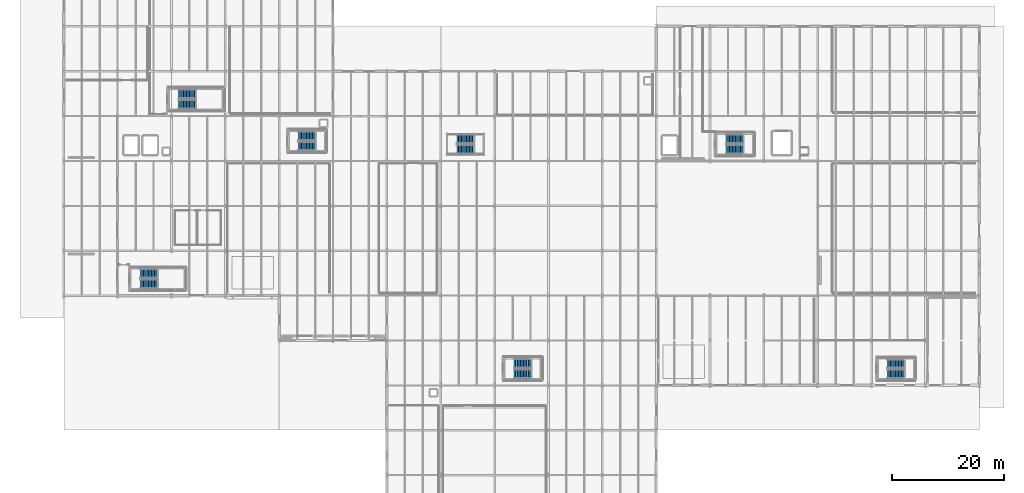
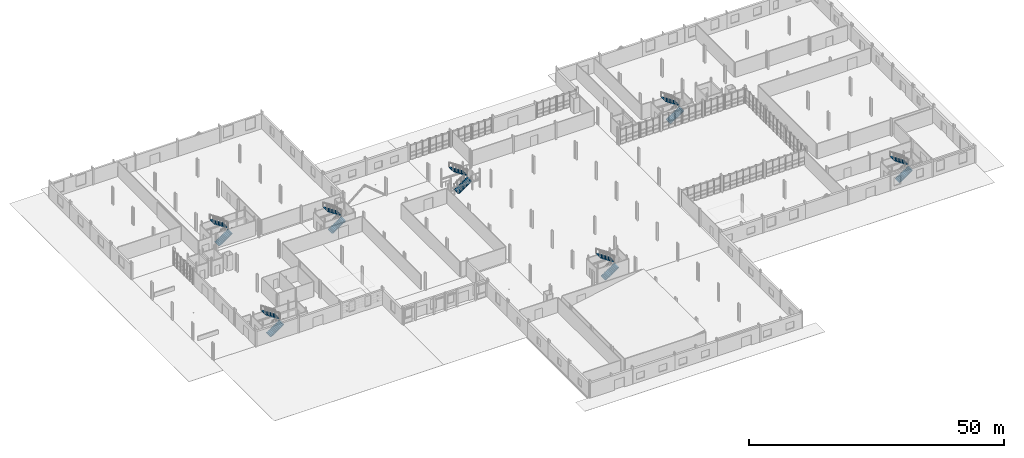
# One storey, part 65 of 78: 14 stair flights, 7 elements without a shape of their own.
"""IFC4 building model written with IfcOpenShell, lengths in metres."""

from ifc_helpers import new_model, si_unit, direction, frame, origin, place, context, subcontext, project, spatial, polyline, outline, extrude, material, type_object, element, aggregate, save


model = new_model("IFC4")

# Units and contexts
model_context = context("Model", 3, precision=1e-05, world=origin(), true_north=direction((0.0, 1.0)))
body_context = subcontext(model_context, "Body", "Model", "MODEL_VIEW")
ifc_project = project(units=[si_unit("LENGTHUNIT", "METRE"), si_unit("AREAUNIT", "SQUARE_METRE"), si_unit("VOLUMEUNIT", "CUBIC_METRE"), si_unit("PLANEANGLEUNIT", "RADIAN"), si_unit("MASSUNIT", "GRAM", prefix="KILO")], contexts=[model_context])

# Site, building, storey
site_placement = place(None, origin())
site = spatial("IfcSite", under=ifc_project, at=site_placement, CompositionType="ELEMENT")
building_placement = place(site_placement, origin())
building = spatial("IfcBuilding", under=site, at=building_placement, Name="Alderhovde Museum", CompositionType="ELEMENT")
storey_placement = place(building_placement, origin())
storey = spatial("IfcBuildingStorey", under=building, at=storey_placement, Name="L00", CompositionType="ELEMENT", Elevation=0.0)

# Stair, stair flights
ifc_material_1 = material(Name="Concrete C35/45", Category="concrete")
stair_type = type_object("IfcStairType", Name="STR-1500-4500", PredefinedType="HALF_TURN_STAIR", material=ifc_material_1)
stair_1_placement = place(storey_placement, origin())
stair_1 = element("IfcStair", 1, at=stair_1_placement, inside=storey, type_object=stair_type, Name="L00 Escape Stair ST1", PredefinedType="HALF_TURN_STAIR")
ifc_material_2 = material(Name="Concrete C35/45", Category="concrete")
stair_flight_type = type_object("IfcStairFlightType", Name="STF-1500-4500", PredefinedType="STRAIGHT", material=ifc_material_2)
stair_flight_1_placement = place(storey_placement, frame((23.280029296875, 50.0400390625, 0.0), z_axis=(0.0, 0.0, 1.0), x_axis=(1.0, 0.0, 0.0)))
stair_flight_1 = element("IfcStairFlight", 2, at=stair_flight_1_placement, type_object=stair_flight_type, Name="ST1 flight 1", NumberOfRisers=12, NumberOfTreads=11, PredefinedType="STRAIGHT", RiserHeight=0.1875, TreadLength=0.28, context=body_context, shape_type="SweptSolid", body=[
    extrude(outline(polyline([(0.0, 0.0), (0.0, 0.1875), (0.280029296875, 0.1875), (0.280029296875, 0.375), (0.56005859375, 0.375), (0.56005859375, 0.5625), (0.840087890625, 0.5625), (0.840087890625, 0.75), (1.1201171875, 0.75), (1.1201171875, 0.9375), (1.39990234375, 0.9375), (1.39990234375, 1.125), (1.679931640625, 1.125), (1.679931640625, 1.3125), (1.9599609375, 1.3125), (1.9599609375, 1.5), (2.239990234375, 1.5), (2.239990234375, 1.6875), (2.52001953125, 1.6875), (2.52001953125, 1.875), (2.800048828125, 1.875), (2.800048828125, 2.0625), (3.080078125, 2.0625), (3.080078125, 2.25), (3.080078125, 1.882080078125), (0.26953125, 0.0), (0.0, 0.0)])), frame((0.0, 0.83984375, 0.0), z_axis=(0.0, -1.0, 0.0), x_axis=(1.0, 0.0, 0.0)), (0.0, 0.0, 1.0), 1.679931640625),
])
stair_flight_2_placement = place(storey_placement, frame((26.360107421875, 51.919921875, 2.25), z_axis=(0.0, 0.0, 1.0), x_axis=(-1.0, 0.0, 0.0)))
stair_flight_2 = element("IfcStairFlight", 3, at=stair_flight_2_placement, type_object=stair_flight_type, Name="ST1 flight 2", NumberOfRisers=12, NumberOfTreads=11, PredefinedType="STRAIGHT", RiserHeight=0.1875, TreadLength=0.28, context=body_context, shape_type="SweptSolid", body=[
    extrude(outline(polyline([(0.0, 0.0), (0.0, 0.1875), (0.280029296875, 0.1875), (0.280029296875, 0.375), (0.56005859375, 0.375), (0.56005859375, 0.5625), (0.840087890625, 0.5625), (0.840087890625, 0.75), (1.1201171875, 0.75), (1.1201171875, 0.9375), (1.39990234375, 0.9375), (1.39990234375, 1.125), (1.679931640625, 1.125), (1.679931640625, 1.3125), (1.9599609375, 1.3125), (1.9599609375, 1.5), (2.239990234375, 1.5), (2.239990234375, 1.6875), (2.52001953125, 1.6875), (2.52001953125, 1.875), (2.800048828125, 1.875), (2.800048828125, 2.0625), (3.080078125, 2.0625), (3.080078125, 2.25), (3.080078125, 1.882080078125), (0.26953125, 0.0), (0.0, 0.0)])), frame((0.0, 0.83984375, 0.0), z_axis=(0.0, -1.0, 0.0), x_axis=(1.0, 0.0, 0.0)), (0.0, 0.0, 1.0), 1.679931640625),
])
aggregate(stair_1, [stair_flight_1, stair_flight_2])

stair_2_placement = place(storey_placement, origin())
stair_2 = element("IfcStair", 4, at=stair_2_placement, inside=storey, type_object=stair_type, Name="L00 Escape Stair ST2", PredefinedType="HALF_TURN_STAIR")
stair_flight_3_placement = place(storey_placement, frame((30.080078125, 82.0400390625, 0.0), z_axis=(0.0, 0.0, 1.0), x_axis=(1.0, 0.0, 0.0)))
stair_flight_3 = element("IfcStairFlight", 5, at=stair_flight_3_placement, type_object=stair_flight_type, Name="ST2 flight 1", NumberOfRisers=12, NumberOfTreads=11, PredefinedType="STRAIGHT", RiserHeight=0.1875, TreadLength=0.28, context=body_context, shape_type="SweptSolid", body=[
    extrude(outline(polyline([(0.0, 0.0), (0.0, 0.1875), (0.280029296875, 0.1875), (0.280029296875, 0.375), (0.56005859375, 0.375), (0.56005859375, 0.5625), (0.840087890625, 0.5625), (0.840087890625, 0.75), (1.1201171875, 0.75), (1.1201171875, 0.9375), (1.39990234375, 0.9375), (1.39990234375, 1.125), (1.679931640625, 1.125), (1.679931640625, 1.3125), (1.9599609375, 1.3125), (1.9599609375, 1.5), (2.239990234375, 1.5), (2.239990234375, 1.6875), (2.52001953125, 1.6875), (2.52001953125, 1.875), (2.800048828125, 1.875), (2.800048828125, 2.0625), (3.080078125, 2.0625), (3.080078125, 2.25), (3.080078125, 1.882080078125), (0.26953125, 0.0), (0.0, 0.0)])), frame((0.0, 0.83984375, 0.0), z_axis=(0.0, -1.0, 0.0), x_axis=(1.0, 0.0, 0.0)), (0.0, 0.0, 1.0), 1.679931640625),
])
stair_flight_4_placement = place(storey_placement, frame((33.159912109375, 83.919921875, 2.25), z_axis=(0.0, 0.0, 1.0), x_axis=(-1.0, 0.0, 0.0)))
stair_flight_4 = element("IfcStairFlight", 6, at=stair_flight_4_placement, type_object=stair_flight_type, Name="ST2 flight 2", NumberOfRisers=12, NumberOfTreads=11, PredefinedType="STRAIGHT", RiserHeight=0.1875, TreadLength=0.28, context=body_context, shape_type="SweptSolid", body=[
    extrude(outline(polyline([(0.0, 0.0), (0.0, 0.1875), (0.280029296875, 0.1875), (0.280029296875, 0.375), (0.56005859375, 0.375), (0.56005859375, 0.5625), (0.840087890625, 0.5625), (0.840087890625, 0.75), (1.1201171875, 0.75), (1.1201171875, 0.9375), (1.39990234375, 0.9375), (1.39990234375, 1.125), (1.679931640625, 1.125), (1.679931640625, 1.3125), (1.9599609375, 1.3125), (1.9599609375, 1.5), (2.239990234375, 1.5), (2.239990234375, 1.6875), (2.52001953125, 1.6875), (2.52001953125, 1.875), (2.800048828125, 1.875), (2.800048828125, 2.0625), (3.080078125, 2.0625), (3.080078125, 2.25), (3.080078125, 1.882080078125), (0.26953125, 0.0), (0.0, 0.0)])), frame((0.0, 0.83984375, 0.0), z_axis=(0.0, -1.0, 0.0), x_axis=(1.0, 0.0, 0.0)), (0.0, 0.0, 1.0), 1.679931640625),
])
aggregate(stair_2, [stair_flight_3, stair_flight_4])

stair_3_placement = place(storey_placement, origin())
stair_3 = element("IfcStair", 7, at=stair_3_placement, inside=storey, type_object=stair_type, Name="L00 Escape Stair ST3", PredefinedType="HALF_TURN_STAIR")
stair_flight_5_placement = place(storey_placement, frame((89.8798828125, 34.0400390625, 0.0), z_axis=(0.0, 0.0, 1.0), x_axis=(1.0, 0.0, 0.0)))
stair_flight_5 = element("IfcStairFlight", 8, at=stair_flight_5_placement, type_object=stair_flight_type, Name="ST3 flight 1", NumberOfRisers=12, NumberOfTreads=11, PredefinedType="STRAIGHT", RiserHeight=0.1875, TreadLength=0.28, context=body_context, shape_type="SweptSolid", body=[
    extrude(outline(polyline([(0.0, 0.0), (0.0, 0.1875), (0.280029296875, 0.1875), (0.280029296875, 0.375), (0.56005859375, 0.375), (0.56005859375, 0.5625), (0.840087890625, 0.5625), (0.840087890625, 0.75), (1.1201171875, 0.75), (1.1201171875, 0.9375), (1.39990234375, 0.9375), (1.39990234375, 1.125), (1.679931640625, 1.125), (1.679931640625, 1.3125), (1.9599609375, 1.3125), (1.9599609375, 1.5), (2.239990234375, 1.5), (2.239990234375, 1.6875), (2.52001953125, 1.6875), (2.52001953125, 1.875), (2.800048828125, 1.875), (2.800048828125, 2.0625), (3.080078125, 2.0625), (3.080078125, 2.25), (3.080078125, 1.882080078125), (0.26953125, 0.0), (0.0, 0.0)])), frame((0.0, 0.83984375, 0.0), z_axis=(0.0, -1.0, 0.0), x_axis=(1.0, 0.0, 0.0)), (0.0, 0.0, 1.0), 1.679931640625),
])
stair_flight_6_placement = place(storey_placement, frame((92.9599609375, 35.919921875, 2.25), z_axis=(0.0, 0.0, 1.0), x_axis=(-1.0, 0.0, 0.0)))
stair_flight_6 = element("IfcStairFlight", 9, at=stair_flight_6_placement, type_object=stair_flight_type, Name="ST3 flight 2", NumberOfRisers=12, NumberOfTreads=11, PredefinedType="STRAIGHT", RiserHeight=0.1875, TreadLength=0.28, context=body_context, shape_type="SweptSolid", body=[
    extrude(outline(polyline([(0.0, 0.0), (0.0, 0.1875), (0.280029296875, 0.1875), (0.280029296875, 0.375), (0.56005859375, 0.375), (0.56005859375, 0.5625), (0.840087890625, 0.5625), (0.840087890625, 0.75), (1.1201171875, 0.75), (1.1201171875, 0.9375), (1.39990234375, 0.9375), (1.39990234375, 1.125), (1.679931640625, 1.125), (1.679931640625, 1.3125), (1.9599609375, 1.3125), (1.9599609375, 1.5), (2.239990234375, 1.5), (2.239990234375, 1.6875), (2.52001953125, 1.6875), (2.52001953125, 1.875), (2.800048828125, 1.875), (2.800048828125, 2.0625), (3.080078125, 2.0625), (3.080078125, 2.25), (3.080078125, 1.882080078125), (0.26953125, 0.0), (0.0, 0.0)])), frame((0.0, 0.83984375, 0.0), z_axis=(0.0, -1.0, 0.0), x_axis=(1.0, 0.0, 0.0)), (0.0, 0.0, 1.0), 1.679931640625),
])
aggregate(stair_3, [stair_flight_5, stair_flight_6])

stair_4_placement = place(storey_placement, origin())
stair_4 = element("IfcStair", 10, at=stair_4_placement, inside=storey, type_object=stair_type, Name="L00 Escape Stair ST4", PredefinedType="HALF_TURN_STAIR")
stair_flight_7_placement = place(storey_placement, frame((127.679931640625, 74.0400390625, 0.0), z_axis=(0.0, 0.0, 1.0), x_axis=(1.0, 0.0, 0.0)))
stair_flight_7 = element("IfcStairFlight", 11, at=stair_flight_7_placement, type_object=stair_flight_type, Name="ST4 flight 1", NumberOfRisers=12, NumberOfTreads=11, PredefinedType="STRAIGHT", RiserHeight=0.1875, TreadLength=0.28, context=body_context, shape_type="SweptSolid", body=[
    extrude(outline(polyline([(0.0, 0.0), (0.0, 0.1875), (0.280029296875, 0.1875), (0.280029296875, 0.375), (0.56005859375, 0.375), (0.56005859375, 0.5625), (0.840087890625, 0.5625), (0.840087890625, 0.75), (1.1201171875, 0.75), (1.1201171875, 0.9375), (1.39990234375, 0.9375), (1.39990234375, 1.125), (1.679931640625, 1.125), (1.679931640625, 1.3125), (1.9599609375, 1.3125), (1.9599609375, 1.5), (2.239990234375, 1.5), (2.239990234375, 1.6875), (2.52001953125, 1.6875), (2.52001953125, 1.875), (2.800048828125, 1.875), (2.800048828125, 2.0625), (3.080078125, 2.0625), (3.080078125, 2.25), (3.080078125, 1.882080078125), (0.26953125, 0.0), (0.0, 0.0)])), frame((0.0, 0.83984375, 0.0), z_axis=(0.0, -1.0, 0.0), x_axis=(1.0, 0.0, 0.0)), (0.0, 0.0, 1.0), 1.679931640625),
])
stair_flight_8_placement = place(storey_placement, frame((130.760009765625, 75.919921875, 2.25), z_axis=(0.0, 0.0, 1.0), x_axis=(-1.0, 0.0, 0.0)))
stair_flight_8 = element("IfcStairFlight", 12, at=stair_flight_8_placement, type_object=stair_flight_type, Name="ST4 flight 2", NumberOfRisers=12, NumberOfTreads=11, PredefinedType="STRAIGHT", RiserHeight=0.1875, TreadLength=0.28, context=body_context, shape_type="SweptSolid", body=[
    extrude(outline(polyline([(0.0, 0.0), (0.0, 0.1875), (0.280029296875, 0.1875), (0.280029296875, 0.375), (0.56005859375, 0.375), (0.56005859375, 0.5625), (0.840087890625, 0.5625), (0.840087890625, 0.75), (1.1201171875, 0.75), (1.1201171875, 0.9375), (1.39990234375, 0.9375), (1.39990234375, 1.125), (1.679931640625, 1.125), (1.679931640625, 1.3125), (1.9599609375, 1.3125), (1.9599609375, 1.5), (2.239990234375, 1.5), (2.239990234375, 1.6875), (2.52001953125, 1.6875), (2.52001953125, 1.875), (2.800048828125, 1.875), (2.800048828125, 2.0625), (3.080078125, 2.0625), (3.080078125, 2.25), (3.080078125, 1.882080078125), (0.26953125, 0.0), (0.0, 0.0)])), frame((0.0, 0.83984375, 0.0), z_axis=(0.0, -1.0, 0.0), x_axis=(1.0, 0.0, 0.0)), (0.0, 0.0, 1.0), 1.679931640625),
])
aggregate(stair_4, [stair_flight_7, stair_flight_8])

stair_5_placement = place(storey_placement, origin())
stair_5 = element("IfcStair", 13, at=stair_5_placement, inside=storey, type_object=stair_type, Name="L00 Conservatory Grand Stair ST5", PredefinedType="HALF_TURN_STAIR")
stair_flight_9_placement = place(storey_placement, frame((79.679931640625, 74.0400390625, 0.0), z_axis=(0.0, 0.0, 1.0), x_axis=(1.0, 0.0, 0.0)))
stair_flight_9 = element("IfcStairFlight", 14, at=stair_flight_9_placement, type_object=stair_flight_type, Name="ST5 flight 1", NumberOfRisers=12, NumberOfTreads=11, PredefinedType="STRAIGHT", RiserHeight=0.1875, TreadLength=0.28, context=body_context, shape_type="SweptSolid", body=[
    extrude(outline(polyline([(0.0, 0.0), (0.0, 0.1875), (0.280029296875, 0.1875), (0.280029296875, 0.375), (0.56005859375, 0.375), (0.56005859375, 0.5625), (0.840087890625, 0.5625), (0.840087890625, 0.75), (1.1201171875, 0.75), (1.1201171875, 0.9375), (1.39990234375, 0.9375), (1.39990234375, 1.125), (1.679931640625, 1.125), (1.679931640625, 1.3125), (1.9599609375, 1.3125), (1.9599609375, 1.5), (2.239990234375, 1.5), (2.239990234375, 1.6875), (2.52001953125, 1.6875), (2.52001953125, 1.875), (2.800048828125, 1.875), (2.800048828125, 2.0625), (3.080078125, 2.0625), (3.080078125, 2.25), (3.080078125, 1.882080078125), (0.26953125, 0.0), (0.0, 0.0)])), frame((0.0, 0.83984375, 0.0), z_axis=(0.0, -1.0, 0.0), x_axis=(1.0, 0.0, 0.0)), (0.0, 0.0, 1.0), 1.679931640625),
])
stair_flight_10_placement = place(storey_placement, frame((82.760009765625, 75.919921875, 2.25), z_axis=(0.0, 0.0, 1.0), x_axis=(-1.0, 0.0, 0.0)))
stair_flight_10 = element("IfcStairFlight", 15, at=stair_flight_10_placement, type_object=stair_flight_type, Name="ST5 flight 2", NumberOfRisers=12, NumberOfTreads=11, PredefinedType="STRAIGHT", RiserHeight=0.1875, TreadLength=0.28, context=body_context, shape_type="SweptSolid", body=[
    extrude(outline(polyline([(0.0, 0.0), (0.0, 0.1875), (0.280029296875, 0.1875), (0.280029296875, 0.375), (0.56005859375, 0.375), (0.56005859375, 0.5625), (0.840087890625, 0.5625), (0.840087890625, 0.75), (1.1201171875, 0.75), (1.1201171875, 0.9375), (1.39990234375, 0.9375), (1.39990234375, 1.125), (1.679931640625, 1.125), (1.679931640625, 1.3125), (1.9599609375, 1.3125), (1.9599609375, 1.5), (2.239990234375, 1.5), (2.239990234375, 1.6875), (2.52001953125, 1.6875), (2.52001953125, 1.875), (2.800048828125, 1.875), (2.800048828125, 2.0625), (3.080078125, 2.0625), (3.080078125, 2.25), (3.080078125, 1.882080078125), (0.26953125, 0.0), (0.0, 0.0)])), frame((0.0, 0.83984375, 0.0), z_axis=(0.0, -1.0, 0.0), x_axis=(1.0, 0.0, 0.0)), (0.0, 0.0, 1.0), 1.679931640625),
])
aggregate(stair_5, [stair_flight_9, stair_flight_10])

stair_6_placement = place(storey_placement, origin())
stair_6 = element("IfcStair", 16, at=stair_6_placement, inside=storey, type_object=stair_type, Name="L00 Gallery Stair ST6", PredefinedType="HALF_TURN_STAIR")
stair_flight_11_placement = place(storey_placement, frame((51.43994140625, 74.6201171875, 0.0), z_axis=(0.0, 0.0, 1.0), x_axis=(1.0, 0.0, 0.0)))
stair_flight_11 = element("IfcStairFlight", 17, at=stair_flight_11_placement, type_object=stair_flight_type, Name="ST6 flight 1", NumberOfRisers=12, NumberOfTreads=11, PredefinedType="STRAIGHT", RiserHeight=0.1875, TreadLength=0.28, context=body_context, shape_type="SweptSolid", body=[
    extrude(outline(polyline([(0.0, 0.0), (0.0, 0.1875), (0.280029296875, 0.1875), (0.280029296875, 0.375), (0.56005859375, 0.375), (0.56005859375, 0.5625), (0.840087890625, 0.5625), (0.840087890625, 0.75), (1.1201171875, 0.75), (1.1201171875, 0.9375), (1.39990234375, 0.9375), (1.39990234375, 1.125), (1.679931640625, 1.125), (1.679931640625, 1.3125), (1.9599609375, 1.3125), (1.9599609375, 1.5), (2.239990234375, 1.5), (2.239990234375, 1.6875), (2.52001953125, 1.6875), (2.52001953125, 1.875), (2.800048828125, 1.875), (2.800048828125, 2.0625), (3.080078125, 2.0625), (3.080078125, 2.25), (3.080078125, 1.882080078125), (0.26953125, 0.0), (0.0, 0.0)])), frame((0.0, 0.81982421875, 0.0), z_axis=(0.0, -1.0, 0.0), x_axis=(1.0, 0.0, 0.0)), (0.0, 0.0, 1.0), 1.639892578125),
])
stair_flight_12_placement = place(storey_placement, frame((54.52001953125, 76.4599609375, 2.25), z_axis=(0.0, 0.0, 1.0), x_axis=(-1.0, 0.0, 0.0)))
stair_flight_12 = element("IfcStairFlight", 18, at=stair_flight_12_placement, type_object=stair_flight_type, Name="ST6 flight 2", NumberOfRisers=12, NumberOfTreads=11, PredefinedType="STRAIGHT", RiserHeight=0.1875, TreadLength=0.28, context=body_context, shape_type="SweptSolid", body=[
    extrude(outline(polyline([(0.0, 0.0), (0.0, 0.1875), (0.280029296875, 0.1875), (0.280029296875, 0.375), (0.56005859375, 0.375), (0.56005859375, 0.5625), (0.840087890625, 0.5625), (0.840087890625, 0.75), (1.1201171875, 0.75), (1.1201171875, 0.9375), (1.39990234375, 0.9375), (1.39990234375, 1.125), (1.679931640625, 1.125), (1.679931640625, 1.3125), (1.9599609375, 1.3125), (1.9599609375, 1.5), (2.239990234375, 1.5), (2.239990234375, 1.6875), (2.52001953125, 1.6875), (2.52001953125, 1.875), (2.800048828125, 1.875), (2.800048828125, 2.0625), (3.080078125, 2.0625), (3.080078125, 2.25), (3.080078125, 1.882080078125), (0.26953125, 0.0), (0.0, 0.0)])), frame((0.0, 0.81982421875, 0.0), z_axis=(0.0, -1.0, 0.0), x_axis=(1.0, 0.0, 0.0)), (0.0, 0.0, 1.0), 1.639892578125),
])
aggregate(stair_6, [stair_flight_11, stair_flight_12])

stair_7_placement = place(storey_placement, origin())
stair_7 = element("IfcStair", 19, at=stair_7_placement, inside=storey, type_object=stair_type, Name="L00 East Wing Escape Stair ST7", PredefinedType="HALF_TURN_STAIR")
stair_flight_13_placement = place(storey_placement, frame((156.43994140625, 34.02001953125, 0.0), z_axis=(0.0, 0.0, 1.0), x_axis=(1.0, 0.0, 0.0)))
stair_flight_13 = element("IfcStairFlight", 20, at=stair_flight_13_placement, type_object=stair_flight_type, Name="ST7 flight 1", NumberOfRisers=12, NumberOfTreads=11, PredefinedType="STRAIGHT", RiserHeight=0.1875, TreadLength=0.28, context=body_context, shape_type="SweptSolid", body=[
    extrude(outline(polyline([(0.0, 0.0), (0.0, 0.1875), (0.280029296875, 0.1875), (0.280029296875, 0.375), (0.56005859375, 0.375), (0.56005859375, 0.5625), (0.840087890625, 0.5625), (0.840087890625, 0.75), (1.1201171875, 0.75), (1.1201171875, 0.9375), (1.39990234375, 0.9375), (1.39990234375, 1.125), (1.679931640625, 1.125), (1.679931640625, 1.3125), (1.9599609375, 1.3125), (1.9599609375, 1.5), (2.239990234375, 1.5), (2.239990234375, 1.6875), (2.52001953125, 1.6875), (2.52001953125, 1.875), (2.800048828125, 1.875), (2.800048828125, 2.0625), (3.080078125, 2.0625), (3.080078125, 2.25), (3.080078125, 1.882080078125), (0.26953125, 0.0), (0.0, 0.0)])), frame((0.0, 0.81982421875, 0.0), z_axis=(0.0, -1.0, 0.0), x_axis=(1.0, 0.0, 0.0)), (0.0, 0.0, 1.0), 1.639892578125),
])
stair_flight_14_placement = place(storey_placement, frame((159.52001953125, 35.860107421875, 2.25), z_axis=(0.0, 0.0, 1.0), x_axis=(-1.0, 0.0, 0.0)))
stair_flight_14 = element("IfcStairFlight", 21, at=stair_flight_14_placement, type_object=stair_flight_type, Name="ST7 flight 2", NumberOfRisers=12, NumberOfTreads=11, PredefinedType="STRAIGHT", RiserHeight=0.1875, TreadLength=0.28, context=body_context, shape_type="SweptSolid", body=[
    extrude(outline(polyline([(0.0, 0.0), (0.0, 0.1875), (0.280029296875, 0.1875), (0.280029296875, 0.375), (0.56005859375, 0.375), (0.56005859375, 0.5625), (0.840087890625, 0.5625), (0.840087890625, 0.75), (1.1201171875, 0.75), (1.1201171875, 0.9375), (1.39990234375, 0.9375), (1.39990234375, 1.125), (1.679931640625, 1.125), (1.679931640625, 1.3125), (1.9599609375, 1.3125), (1.9599609375, 1.5), (2.239990234375, 1.5), (2.239990234375, 1.6875), (2.52001953125, 1.6875), (2.52001953125, 1.875), (2.800048828125, 1.875), (2.800048828125, 2.0625), (3.080078125, 2.0625), (3.080078125, 2.25), (3.080078125, 1.882080078125), (0.26953125, 0.0), (0.0, 0.0)])), frame((0.0, 0.81982421875, 0.0), z_axis=(0.0, -1.0, 0.0), x_axis=(1.0, 0.0, 0.0)), (0.0, 0.0, 1.0), 1.639892578125),
])
aggregate(stair_7, [stair_flight_13, stair_flight_14])

save(model, "model.ifc")
